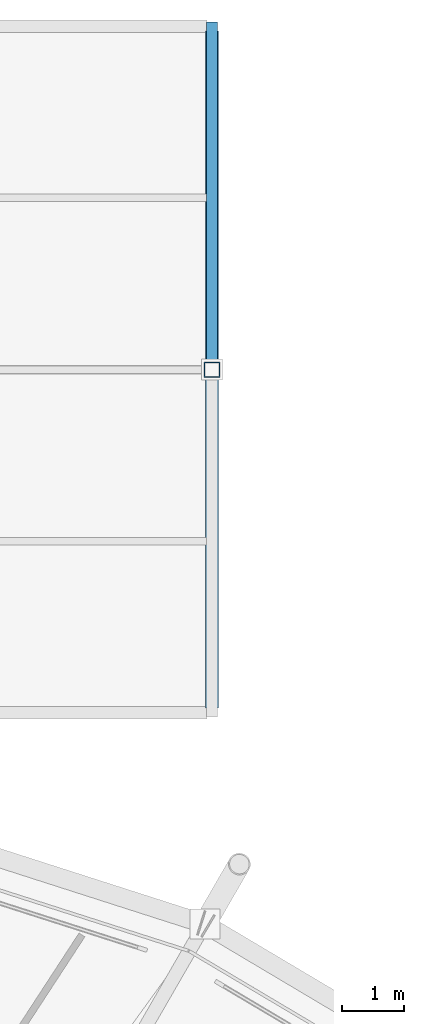
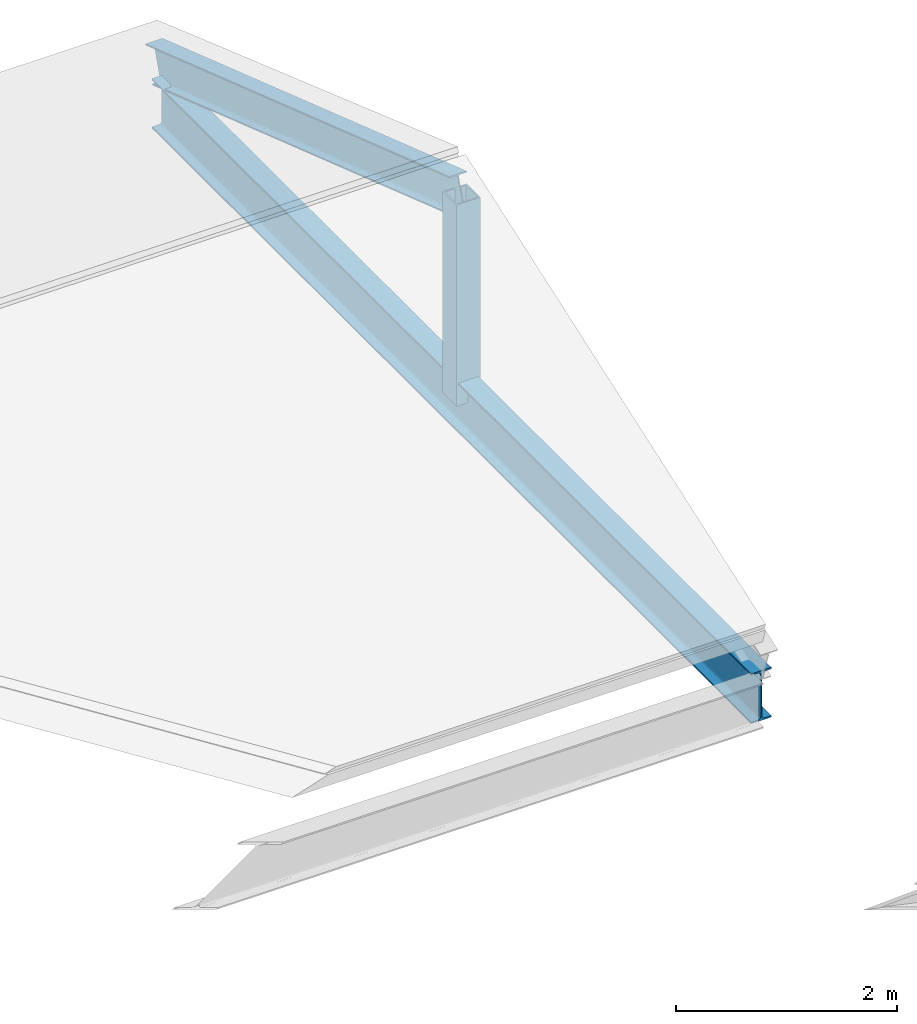
# One storey, part 61 of 126: 2 members, 1 beam.
"""IFC4 building model written with IfcOpenShell, lengths in metres."""

from ifc_helpers import new_model, si_unit, direction, frame, origin, origin_2d, place, context, subcontext, project, spatial, hollow_rectangle, i_section, extrude, material, material_profile, profile_set, type_object, element, save


model = new_model("IFC4")

# Units and contexts
model_context = context("Model", 3, precision=1e-05, world=origin(), true_north=direction((0.0, 1.0)))
body_context = subcontext(model_context, "Body", "Model", "MODEL_VIEW")
ifc_project = project(units=[si_unit("LENGTHUNIT", "METRE"), si_unit("AREAUNIT", "SQUARE_METRE"), si_unit("VOLUMEUNIT", "CUBIC_METRE"), si_unit("PLANEANGLEUNIT", "RADIAN"), si_unit("MASSUNIT", "GRAM", prefix="KILO")], contexts=[model_context])

# Site, building, storey
site_placement = place(None, origin())
site = spatial("IfcSite", under=ifc_project, at=site_placement, CompositionType="ELEMENT")
building_placement = place(site_placement, origin())
building = spatial("IfcBuilding", under=site, at=building_placement, Name="Zlatoyarsky Gate Stadium", CompositionType="ELEMENT")
storey_placement = place(building_placement, frame((0.0, 0.0, 20.800048828125)))
storey = spatial("IfcBuildingStorey", under=building, at=storey_placement, Name="L04", CompositionType="ELEMENT", Elevation=20.800048828125)

# Beam
ifc_material = material(Name="Steel S355", Category="steel")
ifc_material_profile_1 = material_profile(ifc_material, i_section(OverallWidth=0.2099609375, OverallDepth=0.550048828125, WebThickness=0.010986328125, FlangeThickness=0.01708984375, FilletRadius=0.02392578125, at=origin_2d()), Name="IPE 550")
ifc_profile_set_1 = profile_set([ifc_material_profile_1], Name="Steel S355")
beam_type = type_object("IfcBeamType", Name="STEEL FLOOR BEAM IPE 550", PredefinedType="BEAM", material=ifc_profile_set_1)
beam_placement = place(storey_placement, frame((160.0, 149.080078125, -0.574951171875), z_axis=(0.0, 1.0, 0.0), x_axis=(-1.0, 0.0, 0.0)))
element("IfcBeam", 1, at=beam_placement, inside=storey, type_object=beam_type, Name="Beam B-IPE550 BM-L04-WGY-14-P", PredefinedType="BEAM", context=body_context, shape_type="SweptSolid", body=[
    extrude(i_section(OverallWidth=0.2099609375, OverallDepth=0.550048828125, WebThickness=0.010986328125, FlangeThickness=0.01708984375, FilletRadius=0.02392578125, at=origin_2d()), origin(), (0.0, 0.0, 1.0), 10.83984375),
])

# Members
ifc_material_profile_2 = material_profile(ifc_material, i_section(OverallWidth=0.179931640625, OverallDepth=0.39990234375, WebThickness=0.008544921875, FlangeThickness=0.013427734375, FilletRadius=0.02099609375, at=origin_2d()), Name="IPE 400")
ifc_profile_set_2 = profile_set([ifc_material_profile_2], Name="Steel S355")
member_type_1 = type_object("IfcMemberType", Name="STEEL PAVILION ROOF RAFTER IPE 400", PredefinedType="RAFTER", material=ifc_profile_set_2)
member_1_placement = place(storey_placement, frame((160.0, 160.0, -0.199951171875), z_axis=(0.0, -0.946779405011, 0.321883143776), x_axis=(1.0, 0.0, 0.0)))
element("IfcMember", 2, at=member_1_placement, inside=storey, type_object=member_type_1, Name="V2_NORTH_E roof rafter 2B", PredefinedType="RAFTER", context=body_context, shape_type="SweptSolid", body=[
    extrude(i_section(OverallWidth=0.179931640625, OverallDepth=0.39990234375, WebThickness=0.008544921875, FlangeThickness=0.013427734375, FilletRadius=0.02099609375, at=origin_2d()), origin(), (0.0, 0.0, 1.0), 5.80908203125),
])
ifc_material_profile_3 = material_profile(ifc_material, hollow_rectangle(XDim=0.25, YDim=0.25, WallThickness=0.01611328125, at=origin_2d()), Name="SHS 250X250X16")
ifc_profile_set_3 = profile_set([ifc_material_profile_3], Name="Steel S355")
member_type_2 = type_object("IfcMemberType", Name="STEEL PAVILION TRUSS STRUT SHS 250X250X16", PredefinedType="STRUT", material=ifc_profile_set_3)
member_2_placement = place(storey_placement, frame((160.0, 154.5, -0.550048828125), z_axis=(0.0, 0.0, 1.0), x_axis=(1.0, 0.0, 0.0)))
element("IfcMember", 3, at=member_2_placement, inside=storey, type_object=member_type_2, Name="V2_NORTH_E king post strut 2", PredefinedType="STRUT", context=body_context, shape_type="SweptSolid", body=[
    extrude(hollow_rectangle(XDim=0.25, YDim=0.25, WallThickness=0.01611328125, at=origin_2d()), origin(), (0.0, 0.0, 1.0), 2.219970703125),
])

save(model, "model.ifc")
